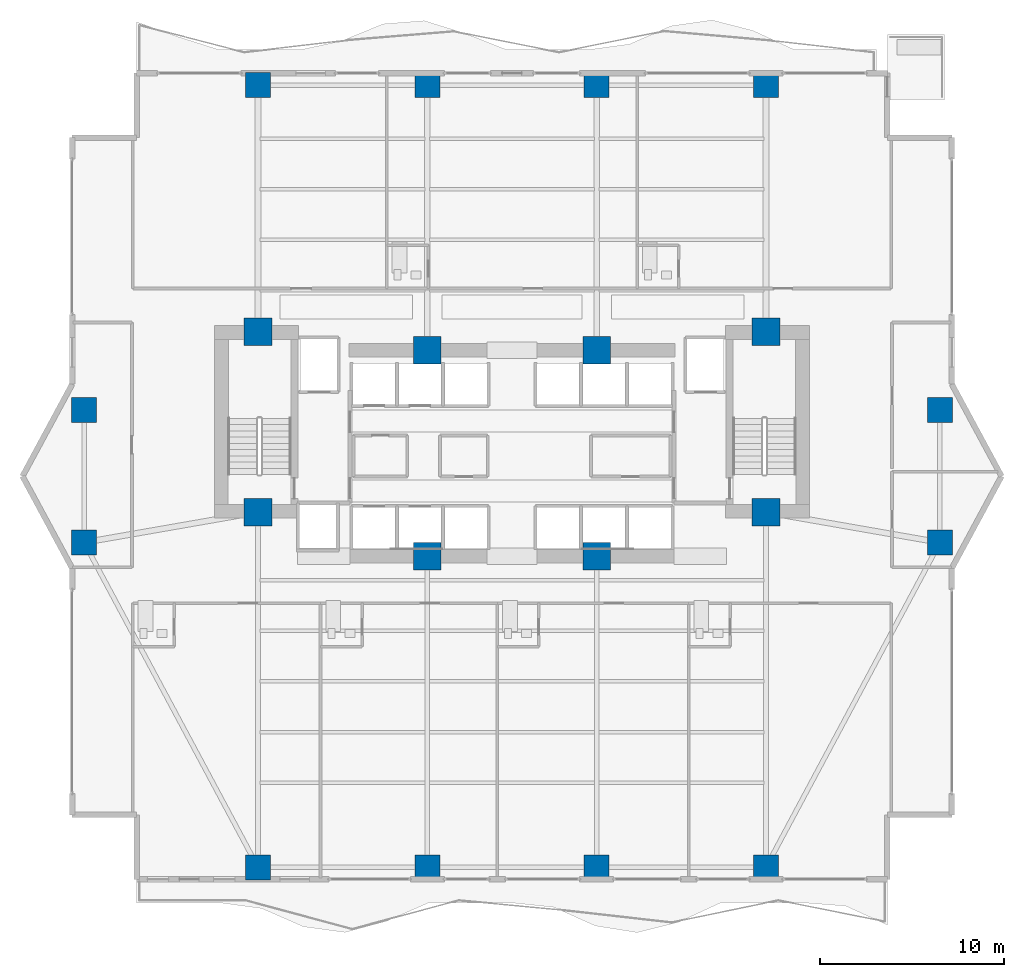
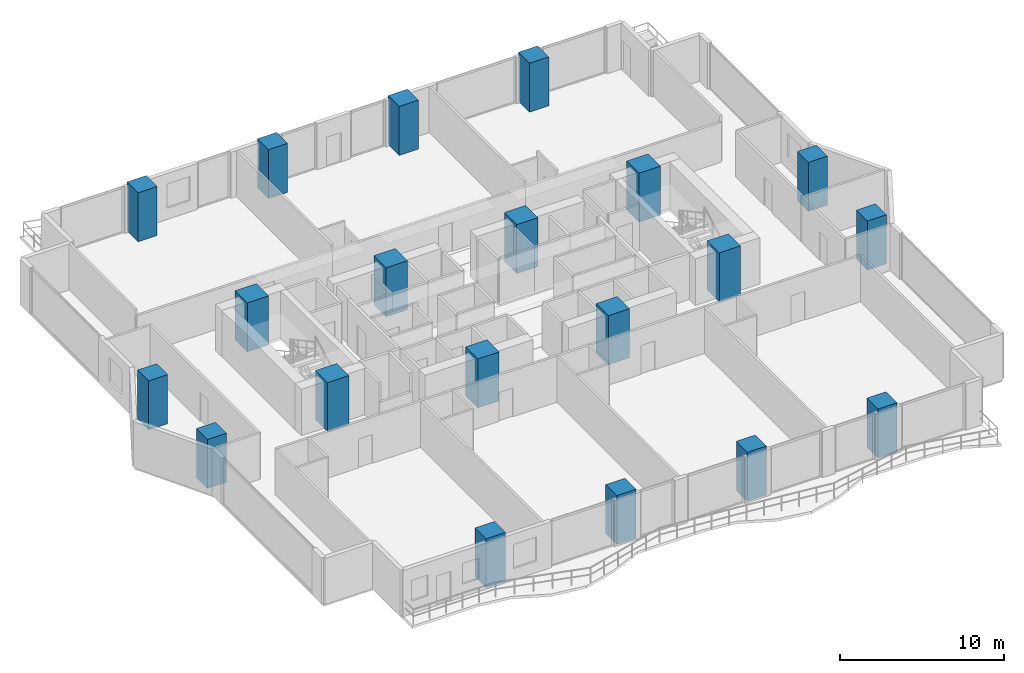
# One storey, part 1 of 28: 20 columns.
"""IFC4 building model written with IfcOpenShell, lengths in metres."""

from ifc_helpers import new_model, si_unit, direction, frame, origin, origin_2d, place, context, subcontext, project, spatial, rectangle, extrude, material, material_profile, profile_set, type_object, element, save


model = new_model("IFC4")

# Units and contexts
model_context = context("Model", 3, precision=1e-05, world=origin(), true_north=direction((0.0, 1.0)))
body_context = subcontext(model_context, "Body", "Model", "MODEL_VIEW")
ifc_project = project(units=[si_unit("LENGTHUNIT", "METRE"), si_unit("AREAUNIT", "SQUARE_METRE"), si_unit("VOLUMEUNIT", "CUBIC_METRE"), si_unit("PLANEANGLEUNIT", "RADIAN"), si_unit("MASSUNIT", "GRAM", prefix="KILO")], contexts=[model_context])

# Site, building, storey
site_placement = place(None, origin())
site = spatial("IfcSite", under=ifc_project, at=site_placement, CompositionType="ELEMENT")
building_placement = place(site_placement, origin())
building = spatial("IfcBuilding", under=site, at=building_placement, Name="Zuhayl Quay Hotel", CompositionType="ELEMENT")
storey_placement = place(building_placement, frame((0.0, 0.0, 146.75)))
storey = spatial("IfcBuildingStorey", under=building, at=storey_placement, Name="L37", CompositionType="ELEMENT", Elevation=146.75)

# Columns
ifc_material = material(Name="Concrete C70/85", Category="concrete")
ifc_material_profile_1 = material_profile(ifc_material, rectangle(XDim=1.5, YDim=1.5, at=origin_2d()), Name="RC1500X1500")
ifc_profile_set_1 = profile_set([ifc_material_profile_1], Name="Concrete C70/85")
column_type_1 = type_object("IfcColumnType", Name="CL_CC1_1500", PredefinedType="COLUMN", material=ifc_profile_set_1)
for number, where, z_axis, x_axis, name in (
    (1, (-13.800048828125, 14.35009765625, 0.0), (0.0, 0.0, 1.0), (1.0, 0.0, 0.0), "L37 Core Column CC_NW"),
    (2, (-4.60009765625, 13.35009765625, 0.0), (0.0, 0.0, 1.0), (1.0, 0.0, 0.0), "L37 Core Column CC_CNW"),
    (3, (4.60009765625, 13.35009765625, 0.0), (0.0, 0.0, 1.0), (1.0, 0.0, 0.0), "L37 Core Column CC_CNE"),
    (4, (13.800048828125, 14.35009765625, 0.0), (0.0, 0.0, 1.0), (1.0, 0.0, 0.0), "L37 Core Column CC_NE"),
    (5, (-13.800048828125, 4.550048828125, 0.0), (0.0, 0.0, 1.0), (1.0, 0.0, 0.0), "L37 Core Column CC_SW"),
    (6, (-4.60009765625, 2.14990234375, 0.0), (0.0, 0.0, 1.0), (1.0, 0.0, 0.0), "L37 Core Column CC_CSW"),
    (7, (4.60009765625, 2.14990234375, 0.0), (0.0, 0.0, 1.0), (1.0, 0.0, 0.0), "L37 Core Column CC_CSE"),
    (8, (13.800048828125, 4.550048828125, 0.0), (0.0, 0.0, 1.0), (1.0, 0.0, 0.0), "L37 Core Column CC_SE"),
):
    element("IfcColumn", number, at=place(storey_placement, frame(where, z_axis=z_axis, x_axis=x_axis)), inside=storey, type_object=column_type_1, Name=name, PredefinedType="COLUMN", context=body_context, shape_type="SweptSolid", body=[
        extrude(rectangle(XDim=1.5, YDim=1.5, at=origin_2d()), origin(), (0.0, 0.0, 1.0), 3.64990234375),
    ])
ifc_material_profile_2 = material_profile(ifc_material, rectangle(XDim=1.35009765625, YDim=1.35009765625, at=origin_2d()), Name="RC1350X1350")
ifc_profile_set_2 = profile_set([ifc_material_profile_2], Name="Concrete C70/85")
column_type_2 = type_object("IfcColumnType", Name="CL_MC2_1350", PredefinedType="COLUMN", material=ifc_profile_set_2)
for number, where, z_axis, x_axis, name in (
    (9, (-13.800048828125, -14.75, 0.0), (0.0, 0.0, 1.0), (1.0, 0.0, 0.0), "L37 Mega-Column MC_S1"),
    (10, (-4.60009765625, -14.75, 0.0), (0.0, 0.0, 1.0), (1.0, 0.0, 0.0), "L37 Mega-Column MC_S2"),
    (11, (4.60009765625, -14.75, 0.0), (0.0, 0.0, 1.0), (1.0, 0.0, 0.0), "L37 Mega-Column MC_S3"),
    (12, (13.800048828125, -14.75, 0.0), (0.0, 0.0, 1.0), (1.0, 0.0, 0.0), "L37 Mega-Column MC_S4"),
    (13, (-13.800048828125, 27.75, 0.0), (0.0, 0.0, 1.0), (1.0, 0.0, 0.0), "L37 Mega-Column MC_N1"),
    (14, (-4.60009765625, 27.75, 0.0), (0.0, 0.0, 1.0), (1.0, 0.0, 0.0), "L37 Mega-Column MC_N2"),
    (15, (4.60009765625, 27.75, 0.0), (0.0, 0.0, 1.0), (1.0, 0.0, 0.0), "L37 Mega-Column MC_N3"),
    (16, (13.800048828125, 27.75, 0.0), (0.0, 0.0, 1.0), (1.0, 0.0, 0.0), "L37 Mega-Column MC_N4"),
    (17, (-23.25, 2.89990234375, 0.0), (0.0, 0.0, 1.0), (1.0, 0.0, 0.0), "L37 Mega-Column MC_W1"),
    (18, (-23.25, 10.10009765625, 0.0), (0.0, 0.0, 1.0), (1.0, 0.0, 0.0), "L37 Mega-Column MC_W2"),
    (19, (23.25, 2.89990234375, 0.0), (0.0, 0.0, 1.0), (1.0, 0.0, 0.0), "L37 Mega-Column MC_E1"),
    (20, (23.25, 10.10009765625, 0.0), (0.0, 0.0, 1.0), (1.0, 0.0, 0.0), "L37 Mega-Column MC_E2"),
):
    element("IfcColumn", number, at=place(storey_placement, frame(where, z_axis=z_axis, x_axis=x_axis)), inside=storey, type_object=column_type_2, Name=name, PredefinedType="COLUMN", context=body_context, shape_type="SweptSolid", body=[
        extrude(rectangle(XDim=1.35009765625, YDim=1.35009765625, at=origin_2d()), origin(), (0.0, 0.0, 1.0), 3.64990234375),
    ])

save(model, "model.ifc")
